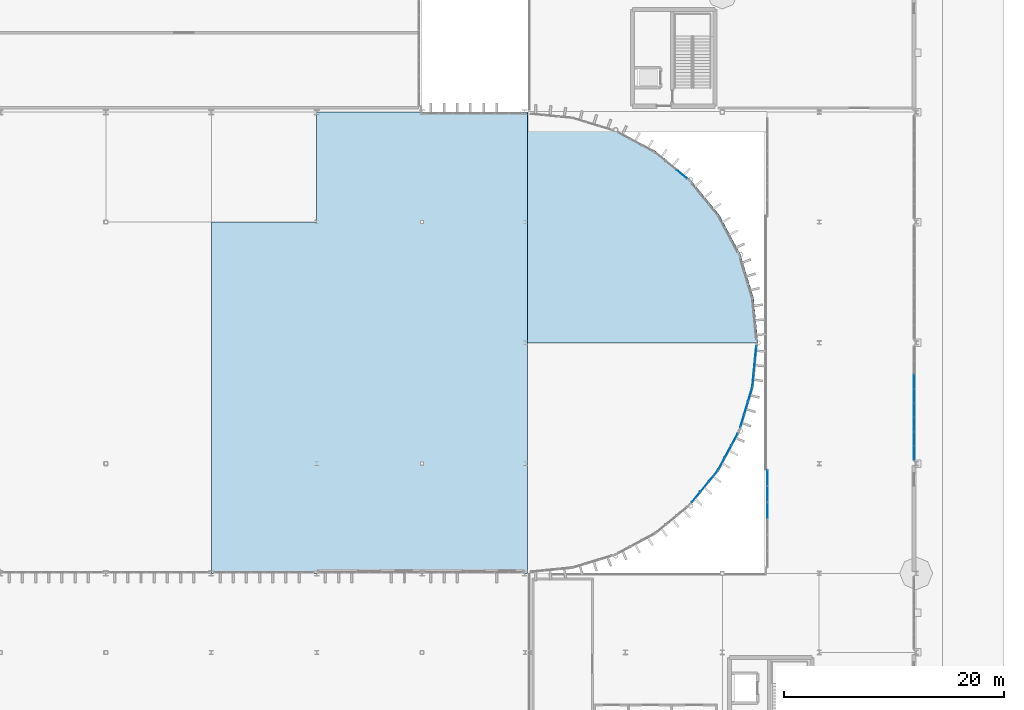
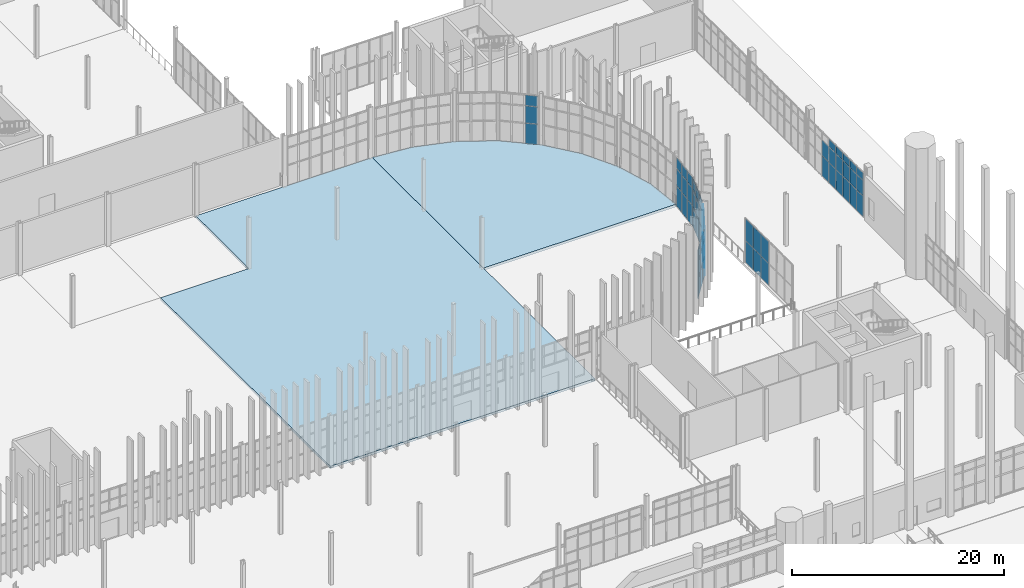
# One storey, part 83 of 139: 62 plates, 2 slabs, 7 elements without a shape of their own.
"""IFC4 building model written with IfcOpenShell, lengths in metres."""

from ifc_helpers import new_model, si_unit, direction, frame, origin, origin_2d, place, context, subcontext, project, spatial, polyline, rectangle, outline, extrude, material, layer, layer_set, type_object, element, aggregate, save


model = new_model("IFC4")

# Units and contexts
model_context = context("Model", 3, precision=1e-05, world=origin(), true_north=direction((0.0, 1.0)))
body_context = subcontext(model_context, "Body", "Model", "MODEL_VIEW")
ifc_project = project(units=[si_unit("LENGTHUNIT", "METRE"), si_unit("AREAUNIT", "SQUARE_METRE"), si_unit("VOLUMEUNIT", "CUBIC_METRE"), si_unit("PLANEANGLEUNIT", "RADIAN"), si_unit("MASSUNIT", "GRAM", prefix="KILO")], contexts=[model_context])

# Site, building, storey
site_placement = place(None, origin())
site = spatial("IfcSite", under=ifc_project, at=site_placement, CompositionType="ELEMENT")
building_placement = place(site_placement, origin())
building = spatial("IfcBuilding", under=site, at=building_placement, Name="Yeouljin Market Hall", CompositionType="ELEMENT")
storey_placement = place(building_placement, origin())
storey = spatial("IfcBuildingStorey", under=building, at=storey_placement, Name="L00", CompositionType="ELEMENT", Elevation=0.0)

# Curtain wall, plates
ifc_material_1 = material(Name="Thermally Broken Aluminium", Category="aluminium")
ifc_layer_1 = layer(ifc_material_1, 0.179931640625)
ifc_layer_set_1 = layer_set([ifc_layer_1], Name="Thermally Broken Aluminium")
curtain_wall_type_1 = type_object("IfcCurtainWallType", Name="CW_ApseCurved_System", PredefinedType="USERDEFINED", material=ifc_layer_set_1)
curtain_wall_1_placement = place(storey_placement, origin())
curtain_wall_1 = element("IfcCurtainWall", 1, at=curtain_wall_1_placement, inside=storey, type_object=curtain_wall_type_1, Name="Curtain wall CW-AP-EL00-05", ObjectType="CURTAIN WALL", PredefinedType="USERDEFINED")
ifc_material_2 = material(Name="Low-E Insulated Glass", Category="glass")
ifc_layer_2 = layer(ifc_material_2, 0.031982421875)
ifc_layer_set_2 = layer_set([ifc_layer_2], Name="Low-E Insulated Glass")
plate_type_1 = type_object("IfcPlateType", Name="CWPanel_AcousticGlass_32", PredefinedType="CURTAIN_PANEL", material=ifc_layer_set_2)
plate_1_placement = place(storey_placement, frame((157.92919921875, 44.873291015625, 0.0478515625), z_axis=(0.0, 0.0, 1.0), x_axis=(-0.634384432096, -0.773017717982, 0.0)))
plate_1 = element("IfcPlate", 2, at=plate_1_placement, type_object=plate_type_1, Name="CW-03 panel 1.1", PredefinedType="CURTAIN_PANEL", context=body_context, shape_type="SweptSolid", body=[
    extrude(rectangle(XDim=1.185791015625, YDim=0.031982421875, at=origin_2d()), origin(), (0.0, 0.0, 1.0), 2.327880859375),
])
plate_2_placement = place(storey_placement, frame((157.92919921875, 44.873291015625, 2.423828125), z_axis=(0.0, 0.0, 1.0), x_axis=(-0.634384432096, -0.773017717982, 0.0)))
plate_2 = element("IfcPlate", 3, at=plate_2_placement, type_object=plate_type_1, Name="CW-03 panel 1.2", PredefinedType="CURTAIN_PANEL", context=body_context, shape_type="SweptSolid", body=[
    extrude(rectangle(XDim=1.185791015625, YDim=0.031982421875, at=origin_2d()), origin(), (0.0, 0.0, 1.0), 1.951904296875),
])
plate_3_placement = place(storey_placement, frame((157.92919921875, 44.873291015625, 4.424072265625), z_axis=(0.0, 0.0, 1.0), x_axis=(-0.634384432096, -0.773017717982, 0.0)))
plate_3 = element("IfcPlate", 4, at=plate_3_placement, type_object=plate_type_1, Name="CW-03 panel 1.3", PredefinedType="CURTAIN_PANEL", context=body_context, shape_type="SweptSolid", body=[
    extrude(rectangle(XDim=1.185791015625, YDim=0.031982421875, at=origin_2d()), origin(), (0.0, 0.0, 1.0), 1.2080078125),
])
plate_4_placement = place(storey_placement, frame((157.138916015625, 43.910400390625, 0.0478515625), z_axis=(0.0, 0.0, 1.0), x_axis=(-0.634384432096, -0.773017717982, 0.0)))
plate_4 = element("IfcPlate", 5, at=plate_4_placement, type_object=plate_type_1, Name="CW-03 panel 2.1", PredefinedType="CURTAIN_PANEL", context=body_context, shape_type="SweptSolid", body=[
    extrude(rectangle(XDim=1.209716796875, YDim=0.031982421875, at=origin_2d()), origin(), (0.0, 0.0, 1.0), 2.327880859375),
])
plate_5_placement = place(storey_placement, frame((157.138916015625, 43.910400390625, 2.423828125), z_axis=(0.0, 0.0, 1.0), x_axis=(-0.634384432096, -0.773017717982, 0.0)))
plate_5 = element("IfcPlate", 6, at=plate_5_placement, type_object=plate_type_1, Name="CW-03 panel 2.2", PredefinedType="CURTAIN_PANEL", context=body_context, shape_type="SweptSolid", body=[
    extrude(rectangle(XDim=1.209716796875, YDim=0.031982421875, at=origin_2d()), origin(), (0.0, 0.0, 1.0), 1.951904296875),
])
plate_6_placement = place(storey_placement, frame((157.138916015625, 43.910400390625, 4.424072265625), z_axis=(0.0, 0.0, 1.0), x_axis=(-0.634384432096, -0.773017717982, 0.0)))
plate_6 = element("IfcPlate", 7, at=plate_6_placement, type_object=plate_type_1, Name="CW-03 panel 2.3", PredefinedType="CURTAIN_PANEL", context=body_context, shape_type="SweptSolid", body=[
    extrude(rectangle(XDim=1.209716796875, YDim=0.031982421875, at=origin_2d()), origin(), (0.0, 0.0, 1.0), 1.2080078125),
])
plate_7_placement = place(storey_placement, frame((156.3486328125, 42.947509765625, 0.0478515625), z_axis=(0.0, 0.0, 1.0), x_axis=(-0.634384432096, -0.773017717982, 0.0)))
plate_7 = element("IfcPlate", 8, at=plate_7_placement, type_object=plate_type_1, Name="CW-03 panel 3.1", PredefinedType="CURTAIN_PANEL", context=body_context, shape_type="SweptSolid", body=[
    extrude(rectangle(XDim=1.185791015625, YDim=0.031982421875, at=origin_2d()), origin(), (0.0, 0.0, 1.0), 2.327880859375),
])
plate_8_placement = place(storey_placement, frame((156.3486328125, 42.947509765625, 2.423828125), z_axis=(0.0, 0.0, 1.0), x_axis=(-0.634384432096, -0.773017717982, 0.0)))
plate_8 = element("IfcPlate", 9, at=plate_8_placement, type_object=plate_type_1, Name="CW-03 panel 3.2", PredefinedType="CURTAIN_PANEL", context=body_context, shape_type="SweptSolid", body=[
    extrude(rectangle(XDim=1.185791015625, YDim=0.031982421875, at=origin_2d()), origin(), (0.0, 0.0, 1.0), 1.951904296875),
])
plate_9_placement = place(storey_placement, frame((156.3486328125, 42.947509765625, 4.424072265625), z_axis=(0.0, 0.0, 1.0), x_axis=(-0.634384432096, -0.773017717982, 0.0)))
plate_9 = element("IfcPlate", 10, at=plate_9_placement, type_object=plate_type_1, Name="CW-03 panel 3.3", PredefinedType="CURTAIN_PANEL", context=body_context, shape_type="SweptSolid", body=[
    extrude(rectangle(XDim=1.185791015625, YDim=0.031982421875, at=origin_2d()), origin(), (0.0, 0.0, 1.0), 1.2080078125),
])
aggregate(curtain_wall_1, [plate_1, plate_2, plate_3, plate_4, plate_5, plate_6, plate_7, plate_8, plate_9])

curtain_wall_2_placement = place(storey_placement, origin())
curtain_wall_2 = element("IfcCurtainWall", 11, at=curtain_wall_2_placement, inside=storey, type_object=curtain_wall_type_1, Name="Curtain wall CW-AP-EL00-06", ObjectType="CURTAIN WALL", PredefinedType="USERDEFINED")
plate_10_placement = place(storey_placement, frame((159.8564453125, 48.197509765625, 0.0478515625), z_axis=(0.0, 0.0, 1.0), x_axis=(-0.471377626598, -0.881931478712, 0.0)))
plate_10 = element("IfcPlate", 12, at=plate_10_placement, type_object=plate_type_1, Name="CW-03 panel 1.1", PredefinedType="CURTAIN_PANEL", context=body_context, shape_type="SweptSolid", body=[
    extrude(rectangle(XDim=1.185791015625, YDim=0.031982421875, at=origin_2d()), origin(), (0.0, 0.0, 1.0), 2.327880859375),
])
plate_11_placement = place(storey_placement, frame((159.8564453125, 48.197509765625, 2.423828125), z_axis=(0.0, 0.0, 1.0), x_axis=(-0.471377626598, -0.881931478712, 0.0)))
plate_11 = element("IfcPlate", 13, at=plate_11_placement, type_object=plate_type_1, Name="CW-03 panel 1.2", PredefinedType="CURTAIN_PANEL", context=body_context, shape_type="SweptSolid", body=[
    extrude(rectangle(XDim=1.185791015625, YDim=0.031982421875, at=origin_2d()), origin(), (0.0, 0.0, 1.0), 1.951904296875),
])
plate_12_placement = place(storey_placement, frame((159.8564453125, 48.197509765625, 4.424072265625), z_axis=(0.0, 0.0, 1.0), x_axis=(-0.471377626598, -0.881931478712, 0.0)))
plate_12 = element("IfcPlate", 14, at=plate_12_placement, type_object=plate_type_1, Name="CW-03 panel 1.3", PredefinedType="CURTAIN_PANEL", context=body_context, shape_type="SweptSolid", body=[
    extrude(rectangle(XDim=1.185791015625, YDim=0.031982421875, at=origin_2d()), origin(), (0.0, 0.0, 1.0), 1.2080078125),
])
plate_13_placement = place(storey_placement, frame((159.269287109375, 47.098876953125, 0.0478515625), z_axis=(0.0, 0.0, 1.0), x_axis=(-0.471377626598, -0.881931478712, 0.0)))
plate_13 = element("IfcPlate", 15, at=plate_13_placement, type_object=plate_type_1, Name="CW-03 panel 2.1", PredefinedType="CURTAIN_PANEL", context=body_context, shape_type="SweptSolid", body=[
    extrude(rectangle(XDim=1.209716796875, YDim=0.031982421875, at=origin_2d()), origin(), (0.0, 0.0, 1.0), 2.327880859375),
])
plate_14_placement = place(storey_placement, frame((159.269287109375, 47.098876953125, 2.423828125), z_axis=(0.0, 0.0, 1.0), x_axis=(-0.471377626598, -0.881931478712, 0.0)))
plate_14 = element("IfcPlate", 16, at=plate_14_placement, type_object=plate_type_1, Name="CW-03 panel 2.2", PredefinedType="CURTAIN_PANEL", context=body_context, shape_type="SweptSolid", body=[
    extrude(rectangle(XDim=1.209716796875, YDim=0.031982421875, at=origin_2d()), origin(), (0.0, 0.0, 1.0), 1.951904296875),
])
plate_15_placement = place(storey_placement, frame((159.269287109375, 47.098876953125, 4.424072265625), z_axis=(0.0, 0.0, 1.0), x_axis=(-0.471377626598, -0.881931478712, 0.0)))
plate_15 = element("IfcPlate", 17, at=plate_15_placement, type_object=plate_type_1, Name="CW-03 panel 2.3", PredefinedType="CURTAIN_PANEL", context=body_context, shape_type="SweptSolid", body=[
    extrude(rectangle(XDim=1.209716796875, YDim=0.031982421875, at=origin_2d()), origin(), (0.0, 0.0, 1.0), 1.2080078125),
])
plate_16_placement = place(storey_placement, frame((158.68212890625, 46.000244140625, 0.0478515625), z_axis=(0.0, 0.0, 1.0), x_axis=(-0.471377626598, -0.881931478712, 0.0)))
plate_16 = element("IfcPlate", 18, at=plate_16_placement, type_object=plate_type_1, Name="CW-03 panel 3.1", PredefinedType="CURTAIN_PANEL", context=body_context, shape_type="SweptSolid", body=[
    extrude(rectangle(XDim=1.185791015625, YDim=0.031982421875, at=origin_2d()), origin(), (0.0, 0.0, 1.0), 2.327880859375),
])
plate_17_placement = place(storey_placement, frame((158.68212890625, 46.000244140625, 2.423828125), z_axis=(0.0, 0.0, 1.0), x_axis=(-0.471377626598, -0.881931478712, 0.0)))
plate_17 = element("IfcPlate", 19, at=plate_17_placement, type_object=plate_type_1, Name="CW-03 panel 3.2", PredefinedType="CURTAIN_PANEL", context=body_context, shape_type="SweptSolid", body=[
    extrude(rectangle(XDim=1.185791015625, YDim=0.031982421875, at=origin_2d()), origin(), (0.0, 0.0, 1.0), 1.951904296875),
])
plate_18_placement = place(storey_placement, frame((158.68212890625, 46.000244140625, 4.424072265625), z_axis=(0.0, 0.0, 1.0), x_axis=(-0.471377626598, -0.881931478712, 0.0)))
plate_18 = element("IfcPlate", 20, at=plate_18_placement, type_object=plate_type_1, Name="CW-03 panel 3.3", PredefinedType="CURTAIN_PANEL", context=body_context, shape_type="SweptSolid", body=[
    extrude(rectangle(XDim=1.185791015625, YDim=0.031982421875, at=origin_2d()), origin(), (0.0, 0.0, 1.0), 1.2080078125),
])
aggregate(curtain_wall_2, [plate_10, plate_11, plate_12, plate_13, plate_14, plate_15, plate_16, plate_17, plate_18])

curtain_wall_3_placement = place(storey_placement, origin())
curtain_wall_3 = element("IfcCurtainWall", 21, at=curtain_wall_3_placement, inside=storey, type_object=curtain_wall_type_1, Name="Curtain wall CW-AP-EL00-07", ObjectType="CURTAIN WALL", PredefinedType="USERDEFINED")
plate_19_placement = place(storey_placement, frame((161.28125, 52.27490234375, 0.0478515625), z_axis=(0.0, 0.0, 1.0), x_axis=(-0.290286164863, -0.95693988447, 0.0)))
plate_19 = element("IfcPlate", 22, at=plate_19_placement, type_object=plate_type_1, Name="CW-03 panel 1.1", PredefinedType="CURTAIN_PANEL", context=body_context, shape_type="SweptSolid", body=[
    extrude(rectangle(XDim=1.185791015625, YDim=0.031982421875, at=origin_2d()), origin(), (0.0, 0.0, 1.0), 2.327880859375),
])
plate_20_placement = place(storey_placement, frame((161.28125, 52.27490234375, 2.423828125), z_axis=(0.0, 0.0, 1.0), x_axis=(-0.290286164863, -0.95693988447, 0.0)))
plate_20 = element("IfcPlate", 23, at=plate_20_placement, type_object=plate_type_1, Name="CW-03 panel 1.2", PredefinedType="CURTAIN_PANEL", context=body_context, shape_type="SweptSolid", body=[
    extrude(rectangle(XDim=1.185791015625, YDim=0.031982421875, at=origin_2d()), origin(), (0.0, 0.0, 1.0), 1.951904296875),
])
plate_21_placement = place(storey_placement, frame((161.28125, 52.27490234375, 4.424072265625), z_axis=(0.0, 0.0, 1.0), x_axis=(-0.290286164863, -0.95693988447, 0.0)))
plate_21 = element("IfcPlate", 24, at=plate_21_placement, type_object=plate_type_1, Name="CW-03 panel 1.3", PredefinedType="CURTAIN_PANEL", context=body_context, shape_type="SweptSolid", body=[
    extrude(rectangle(XDim=1.185791015625, YDim=0.031982421875, at=origin_2d()), origin(), (0.0, 0.0, 1.0), 1.2080078125),
])
plate_22_placement = place(storey_placement, frame((160.91943359375, 51.082763671875, 0.0478515625), z_axis=(0.0, 0.0, 1.0), x_axis=(-0.290286164863, -0.95693988447, 0.0)))
plate_22 = element("IfcPlate", 25, at=plate_22_placement, type_object=plate_type_1, Name="CW-03 panel 2.1", PredefinedType="CURTAIN_PANEL", context=body_context, shape_type="SweptSolid", body=[
    extrude(rectangle(XDim=1.209716796875, YDim=0.031982421875, at=origin_2d()), origin(), (0.0, 0.0, 1.0), 2.327880859375),
])
plate_23_placement = place(storey_placement, frame((160.91943359375, 51.082763671875, 2.423828125), z_axis=(0.0, 0.0, 1.0), x_axis=(-0.290286164863, -0.95693988447, 0.0)))
plate_23 = element("IfcPlate", 26, at=plate_23_placement, type_object=plate_type_1, Name="CW-03 panel 2.2", PredefinedType="CURTAIN_PANEL", context=body_context, shape_type="SweptSolid", body=[
    extrude(rectangle(XDim=1.209716796875, YDim=0.031982421875, at=origin_2d()), origin(), (0.0, 0.0, 1.0), 1.951904296875),
])
plate_24_placement = place(storey_placement, frame((160.91943359375, 51.082763671875, 4.424072265625), z_axis=(0.0, 0.0, 1.0), x_axis=(-0.290286164863, -0.95693988447, 0.0)))
plate_24 = element("IfcPlate", 27, at=plate_24_placement, type_object=plate_type_1, Name="CW-03 panel 2.3", PredefinedType="CURTAIN_PANEL", context=body_context, shape_type="SweptSolid", body=[
    extrude(rectangle(XDim=1.209716796875, YDim=0.031982421875, at=origin_2d()), origin(), (0.0, 0.0, 1.0), 1.2080078125),
])
plate_25_placement = place(storey_placement, frame((160.557861328125, 49.890869140625, 0.0478515625), z_axis=(0.0, 0.0, 1.0), x_axis=(-0.290286164863, -0.95693988447, 0.0)))
plate_25 = element("IfcPlate", 28, at=plate_25_placement, type_object=plate_type_1, Name="CW-03 panel 3.1", PredefinedType="CURTAIN_PANEL", context=body_context, shape_type="SweptSolid", body=[
    extrude(rectangle(XDim=1.185791015625, YDim=0.031982421875, at=origin_2d()), origin(), (0.0, 0.0, 1.0), 2.327880859375),
])
plate_26_placement = place(storey_placement, frame((160.557861328125, 49.890869140625, 2.423828125), z_axis=(0.0, 0.0, 1.0), x_axis=(-0.290286164863, -0.95693988447, 0.0)))
plate_26 = element("IfcPlate", 29, at=plate_26_placement, type_object=plate_type_1, Name="CW-03 panel 3.2", PredefinedType="CURTAIN_PANEL", context=body_context, shape_type="SweptSolid", body=[
    extrude(rectangle(XDim=1.185791015625, YDim=0.031982421875, at=origin_2d()), origin(), (0.0, 0.0, 1.0), 1.951904296875),
])
plate_27_placement = place(storey_placement, frame((160.557861328125, 49.890869140625, 4.424072265625), z_axis=(0.0, 0.0, 1.0), x_axis=(-0.290286164863, -0.95693988447, 0.0)))
plate_27 = element("IfcPlate", 30, at=plate_27_placement, type_object=plate_type_1, Name="CW-03 panel 3.3", PredefinedType="CURTAIN_PANEL", context=body_context, shape_type="SweptSolid", body=[
    extrude(rectangle(XDim=1.185791015625, YDim=0.031982421875, at=origin_2d()), origin(), (0.0, 0.0, 1.0), 1.2080078125),
])
aggregate(curtain_wall_3, [plate_19, plate_20, plate_21, plate_22, plate_23, plate_24, plate_25, plate_26, plate_27])

curtain_wall_4_placement = place(storey_placement, origin())
curtain_wall_4 = element("IfcCurtainWall", 31, at=curtain_wall_4_placement, inside=storey, type_object=curtain_wall_type_1, Name="Curtain wall CW-AP-EL00-08", ObjectType="CURTAIN WALL", PredefinedType="USERDEFINED")
plate_28_placement = place(storey_placement, frame((161.789794921875, 56.08349609375, 0.0478515625), z_axis=(0.0, 0.0, 1.0), x_axis=(-0.09803414403, -0.995183051807, 0.0)))
plate_28 = element("IfcPlate", 32, at=plate_28_placement, type_object=plate_type_1, Name="CW-03 panel 1.1", PredefinedType="CURTAIN_PANEL", context=body_context, shape_type="SweptSolid", body=[
    extrude(rectangle(XDim=1.185791015625, YDim=0.031982421875, at=origin_2d()), origin(), (0.0, 0.0, 1.0), 2.327880859375),
])
plate_29_placement = place(storey_placement, frame((161.789794921875, 56.08349609375, 2.423828125), z_axis=(0.0, 0.0, 1.0), x_axis=(-0.09803414403, -0.995183051807, 0.0)))
plate_29 = element("IfcPlate", 33, at=plate_29_placement, type_object=plate_type_1, Name="CW-03 panel 1.2", PredefinedType="CURTAIN_PANEL", context=body_context, shape_type="SweptSolid", body=[
    extrude(rectangle(XDim=1.185791015625, YDim=0.031982421875, at=origin_2d()), origin(), (0.0, 0.0, 1.0), 1.951904296875),
])
plate_30_placement = place(storey_placement, frame((161.789794921875, 56.08349609375, 4.424072265625), z_axis=(0.0, 0.0, 1.0), x_axis=(-0.09803414403, -0.995183051807, 0.0)))
plate_30 = element("IfcPlate", 34, at=plate_30_placement, type_object=plate_type_1, Name="CW-03 panel 1.3", PredefinedType="CURTAIN_PANEL", context=body_context, shape_type="SweptSolid", body=[
    extrude(rectangle(XDim=1.185791015625, YDim=0.031982421875, at=origin_2d()), origin(), (0.0, 0.0, 1.0), 1.2080078125),
])
plate_31_placement = place(storey_placement, frame((161.667724609375, 54.84375, 0.0478515625), z_axis=(0.0, 0.0, 1.0), x_axis=(-0.09803414403, -0.995183051807, 0.0)))
plate_31 = element("IfcPlate", 35, at=plate_31_placement, type_object=plate_type_1, Name="CW-03 panel 2.1", PredefinedType="CURTAIN_PANEL", context=body_context, shape_type="SweptSolid", body=[
    extrude(rectangle(XDim=1.209716796875, YDim=0.031982421875, at=origin_2d()), origin(), (0.0, 0.0, 1.0), 2.327880859375),
])
plate_32_placement = place(storey_placement, frame((161.667724609375, 54.84375, 2.423828125), z_axis=(0.0, 0.0, 1.0), x_axis=(-0.09803414403, -0.995183051807, 0.0)))
plate_32 = element("IfcPlate", 36, at=plate_32_placement, type_object=plate_type_1, Name="CW-03 panel 2.2", PredefinedType="CURTAIN_PANEL", context=body_context, shape_type="SweptSolid", body=[
    extrude(rectangle(XDim=1.209716796875, YDim=0.031982421875, at=origin_2d()), origin(), (0.0, 0.0, 1.0), 1.951904296875),
])
plate_33_placement = place(storey_placement, frame((161.667724609375, 54.84375, 4.424072265625), z_axis=(0.0, 0.0, 1.0), x_axis=(-0.09803414403, -0.995183051807, 0.0)))
plate_33 = element("IfcPlate", 37, at=plate_33_placement, type_object=plate_type_1, Name="CW-03 panel 2.3", PredefinedType="CURTAIN_PANEL", context=body_context, shape_type="SweptSolid", body=[
    extrude(rectangle(XDim=1.209716796875, YDim=0.031982421875, at=origin_2d()), origin(), (0.0, 0.0, 1.0), 1.2080078125),
])
plate_34_placement = place(storey_placement, frame((161.54541015625, 53.60400390625, 0.0478515625), z_axis=(0.0, 0.0, 1.0), x_axis=(-0.09803414403, -0.995183051807, 0.0)))
plate_34 = element("IfcPlate", 38, at=plate_34_placement, type_object=plate_type_1, Name="CW-03 panel 3.1", PredefinedType="CURTAIN_PANEL", context=body_context, shape_type="SweptSolid", body=[
    extrude(rectangle(XDim=1.185791015625, YDim=0.031982421875, at=origin_2d()), origin(), (0.0, 0.0, 1.0), 2.327880859375),
])
plate_35_placement = place(storey_placement, frame((161.54541015625, 53.60400390625, 2.423828125), z_axis=(0.0, 0.0, 1.0), x_axis=(-0.09803414403, -0.995183051807, 0.0)))
plate_35 = element("IfcPlate", 39, at=plate_35_placement, type_object=plate_type_1, Name="CW-03 panel 3.2", PredefinedType="CURTAIN_PANEL", context=body_context, shape_type="SweptSolid", body=[
    extrude(rectangle(XDim=1.185791015625, YDim=0.031982421875, at=origin_2d()), origin(), (0.0, 0.0, 1.0), 1.951904296875),
])
plate_36_placement = place(storey_placement, frame((161.54541015625, 53.60400390625, 4.424072265625), z_axis=(0.0, 0.0, 1.0), x_axis=(-0.09803414403, -0.995183051807, 0.0)))
plate_36 = element("IfcPlate", 40, at=plate_36_placement, type_object=plate_type_1, Name="CW-03 panel 3.3", PredefinedType="CURTAIN_PANEL", context=body_context, shape_type="SweptSolid", body=[
    extrude(rectangle(XDim=1.185791015625, YDim=0.031982421875, at=origin_2d()), origin(), (0.0, 0.0, 1.0), 1.2080078125),
])
aggregate(curtain_wall_4, [plate_28, plate_29, plate_30, plate_31, plate_32, plate_33, plate_34, plate_35, plate_36])

curtain_wall_5_placement = place(storey_placement, origin())
curtain_wall_5 = element("IfcCurtainWall", 41, at=curtain_wall_5_placement, inside=storey, type_object=curtain_wall_type_1, Name="Curtain wall CW-AP-EL00-13", ObjectType="CURTAIN WALL", PredefinedType="USERDEFINED")
plate_37_placement = place(storey_placement, frame((155.052490234375, 72.3486328125, 0.0478515625), z_axis=(0.0, 0.0, 1.0), x_axis=(0.773017717982, -0.634384432096, 0.0)))
plate_37 = element("IfcPlate", 42, at=plate_37_placement, type_object=plate_type_1, Name="CW-03 panel 3.1", PredefinedType="CURTAIN_PANEL", context=body_context, shape_type="SweptSolid", body=[
    extrude(rectangle(XDim=1.185791015625, YDim=0.031982421875, at=origin_2d()), origin(), (0.0, 0.0, 1.0), 2.327880859375),
])
plate_38_placement = place(storey_placement, frame((155.052490234375, 72.3486328125, 2.423828125), z_axis=(0.0, 0.0, 1.0), x_axis=(0.773017717982, -0.634384432096, 0.0)))
plate_38 = element("IfcPlate", 43, at=plate_38_placement, type_object=plate_type_1, Name="CW-03 panel 3.2", PredefinedType="CURTAIN_PANEL", context=body_context, shape_type="SweptSolid", body=[
    extrude(rectangle(XDim=1.185791015625, YDim=0.031982421875, at=origin_2d()), origin(), (0.0, 0.0, 1.0), 1.951904296875),
])
plate_39_placement = place(storey_placement, frame((155.052490234375, 72.3486328125, 4.424072265625), z_axis=(0.0, 0.0, 1.0), x_axis=(0.773017717982, -0.634384432096, 0.0)))
plate_39 = element("IfcPlate", 44, at=plate_39_placement, type_object=plate_type_1, Name="CW-03 panel 3.3", PredefinedType="CURTAIN_PANEL", context=body_context, shape_type="SweptSolid", body=[
    extrude(rectangle(XDim=1.185791015625, YDim=0.031982421875, at=origin_2d()), origin(), (0.0, 0.0, 1.0), 1.2080078125),
])
aggregate(curtain_wall_5, [plate_37, plate_38, plate_39])

ifc_material_3 = material(Name="Thermally Broken Aluminium", Category="aluminium")
ifc_layer_3 = layer(ifc_material_3, 0.14990234375)
ifc_layer_set_3 = layer_set([ifc_layer_3], Name="Thermally Broken Aluminium")
curtain_wall_type_2 = type_object("IfcCurtainWallType", Name="CW_WingStorefront_System", PredefinedType="USERDEFINED", material=ifc_layer_set_3)
curtain_wall_6_placement = place(storey_placement, origin())
curtain_wall_6 = element("IfcCurtainWall", 45, at=curtain_wall_6_placement, inside=storey, type_object=curtain_wall_type_2, Name="Curtain wall CW-V3E-L00-4", ObjectType="CURTAIN WALL", PredefinedType="USERDEFINED")
ifc_material_4 = material(Name="Low-E Insulated Glass", Category="glass")
ifc_layer_4 = layer(ifc_material_4, 0.028076171875)
ifc_layer_set_4 = layer_set([ifc_layer_4], Name="Low-E Insulated Glass")
plate_type_2 = type_object("IfcPlateType", Name="CWPanel_LowE_28", PredefinedType="CURTAIN_PANEL", material=ifc_layer_set_4)
plate_40_placement = place(storey_placement, frame((176.199951171875, 53.449951171875, 0.0478515625), z_axis=(0.0, 0.0, 1.0), x_axis=(0.0, -1.0, 0.0)))
plate_40 = element("IfcPlate", 46, at=plate_40_placement, type_object=plate_type_2, Name="CW-04 panel 3.1", PredefinedType="CURTAIN_PANEL", context=body_context, shape_type="SweptSolid", body=[
    extrude(rectangle(XDim=1.251953125, YDim=0.028076171875, at=origin_2d()), origin(), (0.0, 0.0, 1.0), 2.327880859375),
])
plate_41_placement = place(storey_placement, frame((176.199951171875, 53.449951171875, 2.424072265625), z_axis=(0.0, 0.0, 1.0), x_axis=(0.0, -1.0, 0.0)))
plate_41 = element("IfcPlate", 47, at=plate_41_placement, type_object=plate_type_2, Name="CW-04 panel 3.2", PredefinedType="CURTAIN_PANEL", context=body_context, shape_type="SweptSolid", body=[
    extrude(rectangle(XDim=1.251953125, YDim=0.028076171875, at=origin_2d()), origin(), (0.0, 0.0, 1.0), 1.751953125),
])
plate_42_placement = place(storey_placement, frame((176.199951171875, 52.14990234375, 0.0478515625), z_axis=(0.0, 0.0, 1.0), x_axis=(0.0, -1.0, 0.0)))
plate_42 = element("IfcPlate", 48, at=plate_42_placement, type_object=plate_type_2, Name="CW-04 panel 4.1", PredefinedType="CURTAIN_PANEL", context=body_context, shape_type="SweptSolid", body=[
    extrude(rectangle(XDim=1.251953125, YDim=0.028076171875, at=origin_2d()), origin(), (0.0, 0.0, 1.0), 2.327880859375),
])
plate_43_placement = place(storey_placement, frame((176.199951171875, 52.14990234375, 2.424072265625), z_axis=(0.0, 0.0, 1.0), x_axis=(0.0, -1.0, 0.0)))
plate_43 = element("IfcPlate", 49, at=plate_43_placement, type_object=plate_type_2, Name="CW-04 panel 4.2", PredefinedType="CURTAIN_PANEL", context=body_context, shape_type="SweptSolid", body=[
    extrude(rectangle(XDim=1.251953125, YDim=0.028076171875, at=origin_2d()), origin(), (0.0, 0.0, 1.0), 1.751953125),
])
plate_44_placement = place(storey_placement, frame((176.199951171875, 52.14990234375, 4.22412109375), z_axis=(0.0, 0.0, 1.0), x_axis=(0.0, -1.0, 0.0)))
plate_44 = element("IfcPlate", 50, at=plate_44_placement, type_object=plate_type_2, Name="CW-04 panel 4.3", PredefinedType="CURTAIN_PANEL", context=body_context, shape_type="SweptSolid", body=[
    extrude(rectangle(XDim=1.251953125, YDim=0.028076171875, at=origin_2d()), origin(), (0.0, 0.0, 1.0), 0.847900390625),
])
plate_45_placement = place(storey_placement, frame((176.199951171875, 50.85009765625, 0.0478515625), z_axis=(0.0, 0.0, 1.0), x_axis=(0.0, -1.0, 0.0)))
plate_45 = element("IfcPlate", 51, at=plate_45_placement, type_object=plate_type_2, Name="CW-04 panel 5.1", PredefinedType="CURTAIN_PANEL", context=body_context, shape_type="SweptSolid", body=[
    extrude(rectangle(XDim=1.251953125, YDim=0.028076171875, at=origin_2d()), origin(), (0.0, 0.0, 1.0), 2.327880859375),
])
plate_46_placement = place(storey_placement, frame((176.199951171875, 50.85009765625, 2.424072265625), z_axis=(0.0, 0.0, 1.0), x_axis=(0.0, -1.0, 0.0)))
plate_46 = element("IfcPlate", 52, at=plate_46_placement, type_object=plate_type_2, Name="CW-04 panel 5.2", PredefinedType="CURTAIN_PANEL", context=body_context, shape_type="SweptSolid", body=[
    extrude(rectangle(XDim=1.251953125, YDim=0.028076171875, at=origin_2d()), origin(), (0.0, 0.0, 1.0), 1.751953125),
])
plate_47_placement = place(storey_placement, frame((176.199951171875, 50.85009765625, 4.22412109375), z_axis=(0.0, 0.0, 1.0), x_axis=(0.0, -1.0, 0.0)))
plate_47 = element("IfcPlate", 53, at=plate_47_placement, type_object=plate_type_2, Name="CW-04 panel 5.3", PredefinedType="CURTAIN_PANEL", context=body_context, shape_type="SweptSolid", body=[
    extrude(rectangle(XDim=1.251953125, YDim=0.028076171875, at=origin_2d()), origin(), (0.0, 0.0, 1.0), 0.847900390625),
])
plate_48_placement = place(storey_placement, frame((176.199951171875, 49.550048828125, 0.0478515625), z_axis=(0.0, 0.0, 1.0), x_axis=(0.0, -1.0, 0.0)))
plate_48 = element("IfcPlate", 54, at=plate_48_placement, type_object=plate_type_2, Name="CW-04 panel 6.1", PredefinedType="CURTAIN_PANEL", context=body_context, shape_type="SweptSolid", body=[
    extrude(rectangle(XDim=1.251953125, YDim=0.028076171875, at=origin_2d()), origin(), (0.0, 0.0, 1.0), 2.327880859375),
])
plate_49_placement = place(storey_placement, frame((176.199951171875, 49.550048828125, 2.424072265625), z_axis=(0.0, 0.0, 1.0), x_axis=(0.0, -1.0, 0.0)))
plate_49 = element("IfcPlate", 55, at=plate_49_placement, type_object=plate_type_2, Name="CW-04 panel 6.2", PredefinedType="CURTAIN_PANEL", context=body_context, shape_type="SweptSolid", body=[
    extrude(rectangle(XDim=1.251953125, YDim=0.028076171875, at=origin_2d()), origin(), (0.0, 0.0, 1.0), 1.751953125),
])
plate_50_placement = place(storey_placement, frame((176.199951171875, 49.550048828125, 4.22412109375), z_axis=(0.0, 0.0, 1.0), x_axis=(0.0, -1.0, 0.0)))
plate_50 = element("IfcPlate", 56, at=plate_50_placement, type_object=plate_type_2, Name="CW-04 panel 6.3", PredefinedType="CURTAIN_PANEL", context=body_context, shape_type="SweptSolid", body=[
    extrude(rectangle(XDim=1.251953125, YDim=0.028076171875, at=origin_2d()), origin(), (0.0, 0.0, 1.0), 0.847900390625),
])
plate_51_placement = place(storey_placement, frame((176.199951171875, 48.25, 0.0478515625), z_axis=(0.0, 0.0, 1.0), x_axis=(0.0, -1.0, 0.0)))
plate_51 = element("IfcPlate", 57, at=plate_51_placement, type_object=plate_type_2, Name="CW-04 panel 7.1", PredefinedType="CURTAIN_PANEL", context=body_context, shape_type="SweptSolid", body=[
    extrude(rectangle(XDim=1.251953125, YDim=0.028076171875, at=origin_2d()), origin(), (0.0, 0.0, 1.0), 2.327880859375),
])
plate_52_placement = place(storey_placement, frame((176.199951171875, 48.25, 2.424072265625), z_axis=(0.0, 0.0, 1.0), x_axis=(0.0, -1.0, 0.0)))
plate_52 = element("IfcPlate", 58, at=plate_52_placement, type_object=plate_type_2, Name="CW-04 panel 7.2", PredefinedType="CURTAIN_PANEL", context=body_context, shape_type="SweptSolid", body=[
    extrude(rectangle(XDim=1.251953125, YDim=0.028076171875, at=origin_2d()), origin(), (0.0, 0.0, 1.0), 1.751953125),
])
plate_53_placement = place(storey_placement, frame((176.199951171875, 48.25, 4.22412109375), z_axis=(0.0, 0.0, 1.0), x_axis=(0.0, -1.0, 0.0)))
plate_53 = element("IfcPlate", 59, at=plate_53_placement, type_object=plate_type_2, Name="CW-04 panel 7.3", PredefinedType="CURTAIN_PANEL", context=body_context, shape_type="SweptSolid", body=[
    extrude(rectangle(XDim=1.251953125, YDim=0.028076171875, at=origin_2d()), origin(), (0.0, 0.0, 1.0), 0.847900390625),
])
plate_54_placement = place(storey_placement, frame((176.199951171875, 46.9619140625, 0.0478515625), z_axis=(0.0, 0.0, 1.0), x_axis=(0.0, -1.0, 0.0)))
plate_54 = element("IfcPlate", 60, at=plate_54_placement, type_object=plate_type_2, Name="CW-04 panel 8.1", PredefinedType="CURTAIN_PANEL", context=body_context, shape_type="SweptSolid", body=[
    extrude(rectangle(XDim=1.22802734375, YDim=0.028076171875, at=origin_2d()), origin(), (0.0, 0.0, 1.0), 2.327880859375),
])
plate_55_placement = place(storey_placement, frame((176.199951171875, 46.9619140625, 2.424072265625), z_axis=(0.0, 0.0, 1.0), x_axis=(0.0, -1.0, 0.0)))
plate_55 = element("IfcPlate", 61, at=plate_55_placement, type_object=plate_type_2, Name="CW-04 panel 8.2", PredefinedType="CURTAIN_PANEL", context=body_context, shape_type="SweptSolid", body=[
    extrude(rectangle(XDim=1.22802734375, YDim=0.028076171875, at=origin_2d()), origin(), (0.0, 0.0, 1.0), 1.751953125),
])
plate_56_placement = place(storey_placement, frame((176.199951171875, 46.9619140625, 4.22412109375), z_axis=(0.0, 0.0, 1.0), x_axis=(0.0, -1.0, 0.0)))
plate_56 = element("IfcPlate", 62, at=plate_56_placement, type_object=plate_type_2, Name="CW-04 panel 8.3", PredefinedType="CURTAIN_PANEL", context=body_context, shape_type="SweptSolid", body=[
    extrude(rectangle(XDim=1.22802734375, YDim=0.028076171875, at=origin_2d()), origin(), (0.0, 0.0, 1.0), 0.847900390625),
])
aggregate(curtain_wall_6, [plate_40, plate_41, plate_42, plate_43, plate_44, plate_45, plate_46, plate_47, plate_48, plate_49, plate_50, plate_51, plate_52, plate_53, plate_54, plate_55, plate_56])

curtain_wall_7_placement = place(storey_placement, origin())
curtain_wall_7 = element("IfcCurtainWall", 63, at=curtain_wall_7_placement, inside=storey, type_object=curtain_wall_type_2, Name="Curtain wall CW-CRT-L00-13", ObjectType="CURTAIN WALL", PredefinedType="USERDEFINED")
plate_57_placement = place(storey_placement, frame((162.85009765625, 44.6962890625, 0.0478515625), z_axis=(0.0, 0.0, 1.0), x_axis=(0.0, -1.0, 0.0)))
plate_57 = element("IfcPlate", 64, at=plate_57_placement, type_object=plate_type_2, Name="CW-04 panel 1.1", PredefinedType="CURTAIN_PANEL", context=body_context, shape_type="SweptSolid", body=[
    extrude(rectangle(XDim=1.411376953125, YDim=0.028076171875, at=origin_2d()), origin(), (0.0, 0.0, 1.0), 2.488037109375),
])
plate_58_placement = place(storey_placement, frame((162.85009765625, 44.6962890625, 2.583984375), z_axis=(0.0, 0.0, 1.0), x_axis=(0.0, -1.0, 0.0)))
plate_58 = element("IfcPlate", 65, at=plate_58_placement, type_object=plate_type_2, Name="CW-04 panel 1.2", PredefinedType="CURTAIN_PANEL", context=body_context, shape_type="SweptSolid", body=[
    extrude(rectangle(XDim=1.411376953125, YDim=0.028076171875, at=origin_2d()), origin(), (0.0, 0.0, 1.0), 2.488037109375),
])
plate_59_placement = place(storey_placement, frame((162.85009765625, 43.22509765625, 0.0478515625), z_axis=(0.0, 0.0, 1.0), x_axis=(0.0, -1.0, 0.0)))
plate_59 = element("IfcPlate", 66, at=plate_59_placement, type_object=plate_type_2, Name="CW-04 panel 2.1", PredefinedType="CURTAIN_PANEL", context=body_context, shape_type="SweptSolid", body=[
    extrude(rectangle(XDim=1.435302734375, YDim=0.028076171875, at=origin_2d()), origin(), (0.0, 0.0, 1.0), 2.488037109375),
])
plate_60_placement = place(storey_placement, frame((162.85009765625, 43.22509765625, 2.583984375), z_axis=(0.0, 0.0, 1.0), x_axis=(0.0, -1.0, 0.0)))
plate_60 = element("IfcPlate", 67, at=plate_60_placement, type_object=plate_type_2, Name="CW-04 panel 2.2", PredefinedType="CURTAIN_PANEL", context=body_context, shape_type="SweptSolid", body=[
    extrude(rectangle(XDim=1.435302734375, YDim=0.028076171875, at=origin_2d()), origin(), (0.0, 0.0, 1.0), 2.488037109375),
])
plate_61_placement = place(storey_placement, frame((162.85009765625, 41.74169921875, 0.0478515625), z_axis=(0.0, 0.0, 1.0), x_axis=(0.0, -1.0, 0.0)))
plate_61 = element("IfcPlate", 68, at=plate_61_placement, type_object=plate_type_2, Name="CW-04 panel 3.1", PredefinedType="CURTAIN_PANEL", context=body_context, shape_type="SweptSolid", body=[
    extrude(rectangle(XDim=1.435302734375, YDim=0.028076171875, at=origin_2d()), origin(), (0.0, 0.0, 1.0), 2.488037109375),
])
plate_62_placement = place(storey_placement, frame((162.85009765625, 41.74169921875, 2.583984375), z_axis=(0.0, 0.0, 1.0), x_axis=(0.0, -1.0, 0.0)))
plate_62 = element("IfcPlate", 69, at=plate_62_placement, type_object=plate_type_2, Name="CW-04 panel 3.2", PredefinedType="CURTAIN_PANEL", context=body_context, shape_type="SweptSolid", body=[
    extrude(rectangle(XDim=1.435302734375, YDim=0.028076171875, at=origin_2d()), origin(), (0.0, 0.0, 1.0), 2.488037109375),
])
aggregate(curtain_wall_7, [plate_57, plate_58, plate_59, plate_60, plate_61, plate_62])

# Slabs
ifc_material_5 = material(Name="Concrete C35/45", Category="concrete")
ifc_layer_5 = layer(ifc_material_5, 0.300048828125)
ifc_layer_set_5 = layer_set([ifc_layer_5], Name="Concrete C35/45")
slab_type_1 = type_object("IfcSlabType", Name="SLB_APSE_300", PredefinedType="FLOOR", material=ifc_layer_set_5)
slab_1_placement = place(storey_placement, frame((0.0, 0.0, -0.300048828125)))
element("IfcSlab", 70, at=slab_1_placement, inside=storey, type_object=slab_type_1, Name="Structural slab SLB-L00-AEN", PredefinedType="FLOOR", context=body_context, shape_type="SweptSolid", body=[
    extrude(outline(polyline([(141.0, 57.0), (162.0, 57.0), (161.596435546875, 61.096923828125), (160.401611328125, 65.036376953125), (158.4609375, 68.6669921875), (155.84912109375, 71.84912109375), (152.6669921875, 74.4609375), (149.036376953125, 76.401611328125), (145.096923828125, 77.596435546875), (141.0, 78.0), (141.0, 57.0)])), origin(), (0.0, 0.0, 1.0), 0.300048828125),
])
ifc_material_6 = material(Name="Concrete C35/45", Category="concrete")
ifc_layer_6 = layer(ifc_material_6, 0.280029296875)
ifc_layer_set_6 = layer_set([ifc_layer_6], Name="Concrete C35/45")
slab_type_2 = type_object("IfcSlabType", Name="SLB_HALL_280", PredefinedType="FLOOR", material=ifc_layer_set_6)
slab_2_placement = place(storey_placement, frame((0.0, 0.0, -0.280029296875)))
element("IfcSlab", 71, at=slab_2_placement, inside=storey, type_object=slab_type_2, Name="Structural slab SLB-L00-H7", PredefinedType="FLOOR", context=body_context, shape_type="SweptSolid", body=[
    extrude(outline(polyline([(112.199951171875, 36.0), (141.0, 36.0), (141.0, 78.0), (121.800048828125, 78.0), (121.800048828125, 68.0), (112.199951171875, 68.0), (112.199951171875, 36.0)])), origin(), (0.0, 0.0, 1.0), 0.280029296875),
])

save(model, "model.ifc")
